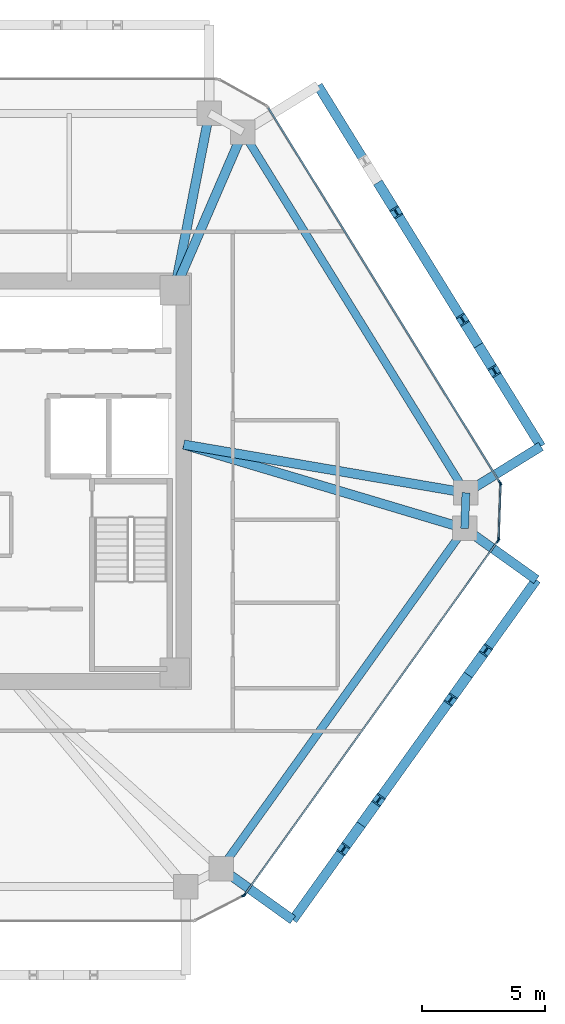
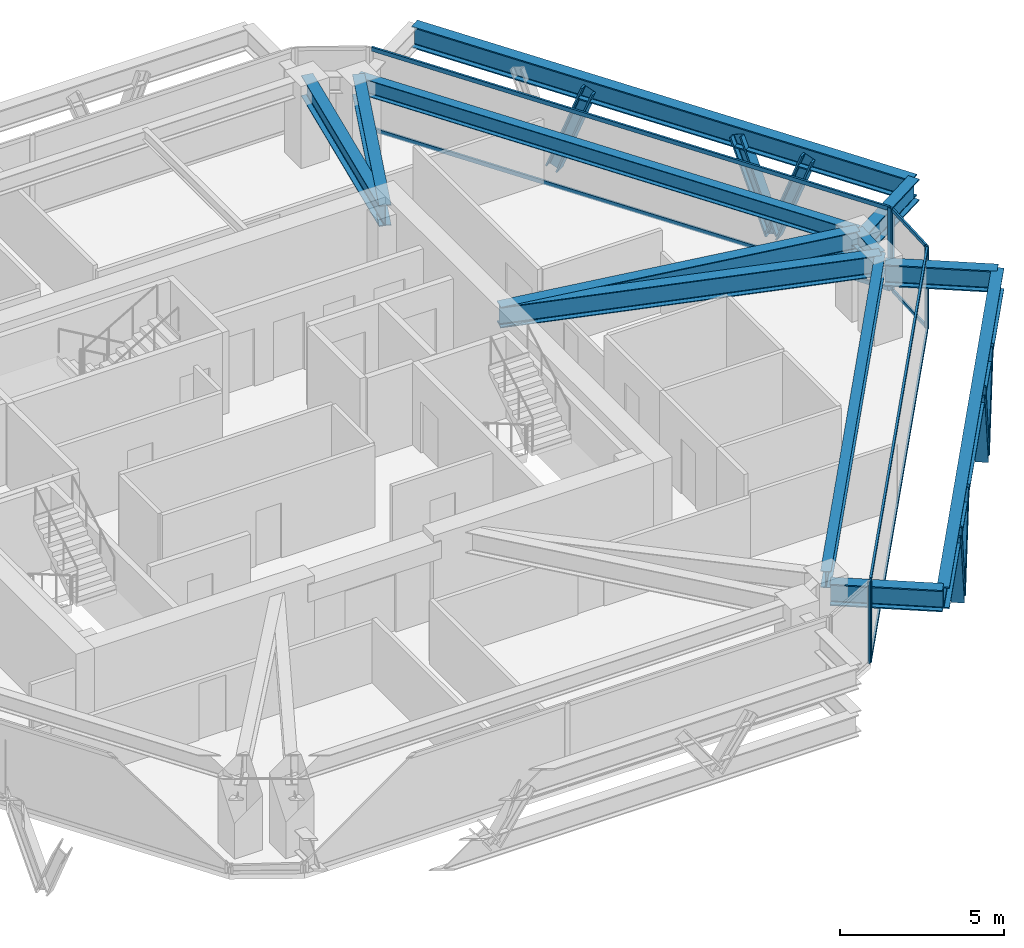
# One storey, part 5 of 11: 19 members, 12 beams, 4 elements without a shape of their own.
"""IFC4 building model written with IfcOpenShell, lengths in metres."""

from ifc_helpers import new_model, si_unit, direction, frame, origin, origin_2d, place, context, subcontext, project, spatial, rectangle, i_section, extrude, source, transform, mapped, material, layer, layer_set, material_profile, profile_set, type_object, type_shapes, element, aggregate, save


model = new_model("IFC4")

# Units and contexts
model_context = context("Model", 3, precision=1e-05, world=origin(), true_north=direction((0.0, 1.0)))
body_context = subcontext(model_context, "Body", "Model", "MODEL_VIEW")
ifc_project = project(units=[si_unit("LENGTHUNIT", "METRE"), si_unit("AREAUNIT", "SQUARE_METRE"), si_unit("VOLUMEUNIT", "CUBIC_METRE"), si_unit("PLANEANGLEUNIT", "RADIAN"), si_unit("MASSUNIT", "GRAM", prefix="KILO")], contexts=[model_context])

# Site, building, storey
site_placement = place(None, origin())
site = spatial("IfcSite", under=ifc_project, at=site_placement, CompositionType="ELEMENT")
building_placement = place(site_placement, origin())
building = spatial("IfcBuilding", under=site, at=building_placement, Name="Durnholm Broadcast Tower", CompositionType="ELEMENT")
storey_placement = place(building_placement, frame((0.0, 0.0, 170.5)))
storey = spatial("IfcBuildingStorey", under=building, at=storey_placement, Name="L46", CompositionType="ELEMENT", Elevation=170.5)

# Beams
ifc_material_1 = material(Name="Steel ASTM A992 Grade 50", Category="steel")
ifc_material_profile_1 = material_profile(ifc_material_1, i_section(OverallWidth=0.385009765625, OverallDepth=0.802978515625, WebThickness=0.023681640625, FlangeThickness=0.0419921875, FilletRadius=0.032958984375, at=origin_2d()), Name="W30X261")
ifc_profile_set_1 = profile_set([ifc_material_profile_1], Name="Steel ASTM A992 Grade 50")
beam_type_1 = type_object("IfcBeamType", Name="BM-EXO-TIE", PredefinedType="USERDEFINED", material=ifc_profile_set_1)
shared_shape_1 = source(origin(), body_context, "Body", "SweptSolid", [
    extrude(i_section(OverallWidth=0.385009765625, OverallDepth=0.802978515625, WebThickness=0.023681640625, FlangeThickness=0.0419921875, FilletRadius=0.032958984375, at=origin_2d()), origin(), (0.0, 0.0, 1.0), 3.4560546875),
])
for number, where, z_axis, x_axis, name in (
    (1, (11.81689453125, -15.884033203125, 2.30859375), (0.813079048773, -0.582153296346, 0.0), (0.582153296346, 0.813079048773, 0.0), "L46 exoskeleton stand-off tie bracket F2.1"),
    (2, (21.7548828125, -2.00341796875, 2.30859375), (0.813079048773, -0.582153296346, 0.0), (0.582153296346, 0.813079048773, 0.0), "L46 exoskeleton stand-off tie bracket F2.2"),
    (3, (21.8095703125, -0.3916015625, 2.30859375), (0.850662348375, 0.525712439512, 0.0), (-0.525712439512, 0.850662348375, 0.0), "L46 exoskeleton stand-off tie bracket F3.1"),
):
    element("IfcBeam", number, at=place(storey_placement, frame(where, z_axis=z_axis, x_axis=x_axis)), inside=storey, type_object=beam_type_1, Name=name, ObjectType="GIRDER", PredefinedType="USERDEFINED", context=body_context, shape_type="MappedRepresentation", body=[
        mapped(shared_shape_1, transform((0.0, 0.0, 0.0), x_axis=(1.0, 0.0, 0.0), y_axis=(0.0, 1.0, 0.0), z_axis=(0.0, 0.0, 1.0), scale=1.0)),
    ])
ifc_material_profile_2 = material_profile(ifc_material_1, i_section(OverallWidth=0.3251953125, OverallDepth=0.6162109375, WebThickness=0.013916015625, FlangeThickness=0.021484375, FilletRadius=0.02783203125, at=origin_2d()), Name="W24X117")
ifc_profile_set_2 = profile_set([ifc_material_profile_2], Name="Steel ASTM A992 Grade 50")
beam_type_2 = type_object("IfcBeamType", Name="STL-SP-W24X117", PredefinedType="SPANDREL", material=ifc_profile_set_2)
shared_shape_2 = source(origin(), body_context, "Body", "SweptSolid", [
    extrude(i_section(OverallWidth=0.3251953125, OverallDepth=0.6162109375, WebThickness=0.013916015625, FlangeThickness=0.021484375, FilletRadius=0.02783203125, at=origin_2d()), origin(), (0.0, 0.0, 1.0), 17.30322265625),
])
beam_1_placement = place(storey_placement, frame((12.5908203125, 14.252197265625, 2.73681640625), z_axis=(0.525691424148, -0.850675335588, 0.0), x_axis=(0.850675335588, 0.525691424148, 0.0)))
element("IfcBeam", 4, at=beam_1_placement, inside=storey, type_object=beam_type_2, Name="L46 perimeter spandrel girder 07", PredefinedType="SPANDREL", context=body_context, shape_type="MappedRepresentation", body=[
    mapped(shared_shape_2, transform((0.0, 0.0, 0.0), x_axis=(1.0, 0.0, 0.0), y_axis=(0.0, 1.0, 0.0), z_axis=(0.0, 0.0, 1.0), scale=1.0)),
])
shared_shape_3 = source(origin(), body_context, "Body", "SweptSolid", [
    extrude(i_section(OverallWidth=0.3251953125, OverallDepth=0.6162109375, WebThickness=0.013916015625, FlangeThickness=0.021484375, FilletRadius=0.02783203125, at=origin_2d()), origin(), (0.0, 0.0, 1.0), 1.453125),
])
beam_2_placement = place(storey_placement, frame((21.68701171875, -0.46728515625, 2.73681640625), z_axis=(-0.033767922326, -0.99942970109, 0.0), x_axis=(0.99942970109, -0.033767922326, 0.0)))
element("IfcBeam", 5, at=beam_2_placement, inside=storey, type_object=beam_type_2, Name="L46 perimeter spandrel girder 08", PredefinedType="SPANDREL", context=body_context, shape_type="MappedRepresentation", body=[
    mapped(shared_shape_3, transform((0.0, 0.0, 0.0), x_axis=(1.0, 0.0, 0.0), y_axis=(0.0, 1.0, 0.0), z_axis=(0.0, 0.0, 1.0), scale=1.0)),
])
shared_shape_4 = source(origin(), body_context, "Body", "SweptSolid", [
    extrude(i_section(OverallWidth=0.3251953125, OverallDepth=0.6162109375, WebThickness=0.013916015625, FlangeThickness=0.021484375, FilletRadius=0.02783203125, at=origin_2d()), origin(), (0.0, 0.0, 1.0), 17.071533203125),
])
type_shapes(beam_type_2, [shared_shape_2, shared_shape_3, shared_shape_4])
beam_3_placement = place(storey_placement, frame((21.637939453125, -1.919677734375, 2.73681640625), z_axis=(-0.582149612352, -0.813081686449, 0.0), x_axis=(0.813081686449, -0.582149612352, 0.0)))
element("IfcBeam", 6, at=beam_3_placement, inside=storey, type_object=beam_type_2, Name="L46 perimeter spandrel girder 09", PredefinedType="SPANDREL", context=body_context, shape_type="MappedRepresentation", body=[
    mapped(shared_shape_4, transform((0.0, 0.0, 0.0), x_axis=(1.0, 0.0, 0.0), y_axis=(0.0, 1.0, 0.0), z_axis=(0.0, 0.0, 1.0), scale=1.0)),
])
ifc_material_profile_3 = material_profile(ifc_material_1, i_section(OverallWidth=0.380615234375, OverallDepth=0.773193359375, WebThickness=0.0166015625, FlangeThickness=0.027099609375, FilletRadius=0.032958984375, at=origin_2d()), Name="W30X173")
ifc_profile_set_3 = profile_set([ifc_material_profile_3], Name="Steel ASTM A992 Grade 50")
beam_type_3 = type_object("IfcBeamType", Name="STL-GR-W30X173", PredefinedType="USERDEFINED", material=ifc_profile_set_3)
shared_shape_5 = source(origin(), body_context, "Body", "SweptSolid", [
    extrude(i_section(OverallWidth=0.380615234375, OverallDepth=0.773193359375, WebThickness=0.0166015625, FlangeThickness=0.027099609375, FilletRadius=0.032958984375, at=origin_2d()), origin(), (0.0, 0.0, 1.0), 7.35595703125),
])
beam_4_placement = place(storey_placement, frame((9.800048828125, 7.800048828125, 2.658447265625), z_axis=(0.192700221893, 0.981257674865, 0.0), x_axis=(-0.981257674865, 0.192700221893, 0.0)))
element("IfcBeam", 7, at=beam_4_placement, inside=storey, type_object=beam_type_3, Name="L46 radial primary floor girder 06", ObjectType="GIRDER", PredefinedType="USERDEFINED", context=body_context, shape_type="MappedRepresentation", body=[
    mapped(shared_shape_5, transform((0.0, 0.0, 0.0), x_axis=(1.0, 0.0, 0.0), y_axis=(0.0, 1.0, 0.0), z_axis=(0.0, 0.0, 1.0), scale=1.0)),
])
shared_shape_6 = source(origin(), body_context, "Body", "SweptSolid", [
    extrude(i_section(OverallWidth=0.380615234375, OverallDepth=0.773193359375, WebThickness=0.0166015625, FlangeThickness=0.027099609375, FilletRadius=0.032958984375, at=origin_2d()), origin(), (0.0, 0.0, 1.0), 7.02978515625),
])
beam_5_placement = place(storey_placement, frame((9.800048828125, 7.800048828125, 2.658447265625), z_axis=(0.396989434191, 0.91782317967, 0.0), x_axis=(-0.91782317967, 0.396989434191, 0.0)))
element("IfcBeam", 8, at=beam_5_placement, inside=storey, type_object=beam_type_3, Name="L46 radial primary floor girder 07", ObjectType="GIRDER", PredefinedType="USERDEFINED", context=body_context, shape_type="MappedRepresentation", body=[
    mapped(shared_shape_6, transform((0.0, 0.0, 0.0), x_axis=(1.0, 0.0, 0.0), y_axis=(0.0, 1.0, 0.0), z_axis=(0.0, 0.0, 1.0), scale=1.0)),
])
shared_shape_7 = source(origin(), body_context, "Body", "SweptSolid", [
    extrude(i_section(OverallWidth=0.385009765625, OverallDepth=0.802978515625, WebThickness=0.023681640625, FlangeThickness=0.0419921875, FilletRadius=0.032958984375, at=origin_2d()), origin(), (0.0, 0.0, 1.0), 17.071533203125),
])
beam_6_placement = place(storey_placement, frame((14.626953125, -17.89599609375, 2.30859375), z_axis=(0.582140157836, 0.813088455603, 0.0), x_axis=(-0.813088455603, 0.582140157836, 0.0)))
element("IfcBeam", 9, at=beam_6_placement, inside=storey, type_object=beam_type_1, Name="L46 exoskeleton collector spandrel F2", PredefinedType="SPANDREL", context=body_context, shape_type="MappedRepresentation", body=[
    mapped(shared_shape_7, transform((0.0, 0.0, 0.0), x_axis=(1.0, 0.0, 0.0), y_axis=(0.0, 1.0, 0.0), z_axis=(0.0, 0.0, 1.0), scale=1.0)),
])
shared_shape_8 = source(origin(), body_context, "Body", "SweptSolid", [
    extrude(i_section(OverallWidth=0.385009765625, OverallDepth=0.802978515625, WebThickness=0.023681640625, FlangeThickness=0.0419921875, FilletRadius=0.032958984375, at=origin_2d()), origin(), (0.0, 0.0, 1.0), 17.303466796875),
])
type_shapes(beam_type_1, [shared_shape_1, shared_shape_7, shared_shape_8])
beam_7_placement = place(storey_placement, frame((24.74951171875, 1.42529296875, 2.30859375), z_axis=(-0.525701634347, 0.850669025911, 0.0), x_axis=(-0.850669025911, -0.525701634347, 0.0)))
element("IfcBeam", 10, at=beam_7_placement, inside=storey, type_object=beam_type_1, Name="L46 exoskeleton collector spandrel F3", PredefinedType="SPANDREL", context=body_context, shape_type="MappedRepresentation", body=[
    mapped(shared_shape_8, transform((0.0, 0.0, 0.0), x_axis=(1.0, 0.0, 0.0), y_axis=(0.0, 1.0, 0.0), z_axis=(0.0, 0.0, 1.0), scale=1.0)),
])
shared_shape_9 = source(origin(), body_context, "Body", "SweptSolid", [
    extrude(i_section(OverallWidth=0.380615234375, OverallDepth=0.773193359375, WebThickness=0.0166015625, FlangeThickness=0.027099609375, FilletRadius=0.032958984375, at=origin_2d()), origin(), (0.0, 0.0, 1.0), 11.678955078125),
])
beam_8_placement = place(storey_placement, frame((10.175048828125, 1.5, 2.658447265625), z_axis=(0.985710446264, -0.168448556317, 0.0), x_axis=(0.168448556317, 0.985710446264, 0.0)))
element("IfcBeam", 11, at=beam_8_placement, inside=storey, type_object=beam_type_3, Name="L46 radial primary floor girder 08", ObjectType="GIRDER", PredefinedType="USERDEFINED", context=body_context, shape_type="MappedRepresentation", body=[
    mapped(shared_shape_9, transform((0.0, 0.0, 0.0), x_axis=(1.0, 0.0, 0.0), y_axis=(0.0, 1.0, 0.0), z_axis=(0.0, 0.0, 1.0), scale=1.0)),
])
shared_shape_10 = source(origin(), body_context, "Body", "SweptSolid", [
    extrude(i_section(OverallWidth=0.380615234375, OverallDepth=0.773193359375, WebThickness=0.0166015625, FlangeThickness=0.027099609375, FilletRadius=0.032958984375, at=origin_2d()), origin(), (0.0, 0.0, 1.0), 11.962158203125),
])
type_shapes(beam_type_3, [shared_shape_5, shared_shape_6, shared_shape_9, shared_shape_10])
beam_9_placement = place(storey_placement, frame((10.175048828125, 1.5, 2.658447265625), z_axis=(0.958266673737, -0.285875815706, 0.0), x_axis=(0.285875815706, 0.958266673737, 0.0)))
element("IfcBeam", 12, at=beam_9_placement, inside=storey, type_object=beam_type_3, Name="L46 radial primary floor girder 09", ObjectType="GIRDER", PredefinedType="USERDEFINED", context=body_context, shape_type="MappedRepresentation", body=[
    mapped(shared_shape_10, transform((0.0, 0.0, 0.0), x_axis=(1.0, 0.0, 0.0), y_axis=(0.0, 1.0, 0.0), z_axis=(0.0, 0.0, 1.0), scale=1.0)),
])

# Members
ifc_material_2 = material(Name="Steel ASTM A913 Grade 65", Category="steel")
ifc_material_profile_4 = material_profile(ifc_material_2, i_section(OverallWidth=0.412109375, OverallDepth=0.434814453125, WebThickness=0.035888671875, FlangeThickness=0.057373046875, FilletRadius=0.030517578125, at=origin_2d()), Name="W14X311")
ifc_profile_set_4 = profile_set([ifc_material_profile_4], Name="Steel ASTM A913 Grade 65")
member_type_1 = type_object("IfcMemberType", Name="STL-DG-W14X311", PredefinedType="BRACE", material=ifc_profile_set_4)
shared_shape_11 = source(origin(), body_context, "Body", "SweptSolid", [
    extrude(i_section(OverallWidth=0.412109375, OverallDepth=0.434814453125, WebThickness=0.035888671875, FlangeThickness=0.057373046875, FilletRadius=0.030517578125, at=origin_2d()), origin(), (0.0, 0.0, 1.0), 3.523193359375),
])
for number, where, z_axis, x_axis, name in (
    (13, (17.40966796875, -14.009521484375, -0.991455078125), (-0.203869234398, -0.284737826017, 0.936675880815), (0.813077820009, -0.582155012526, 0.0), "L46 stand-off diagrid brace F2.D1.1"),
    (14, (17.40966796875, -14.009521484375, -0.991455078125), (0.203869234398, 0.284737826017, 0.936675880815), (-0.813077820009, 0.582155012526, 0.0), "L46 stand-off diagrid brace F2.D1.2"),
    (15, (21.782470703125, -7.90185546875, -0.991455078125), (-0.203869234398, -0.284737826017, 0.936675880815), (0.813077820009, -0.582155012526, 0.0), "L46 stand-off diagrid brace F2.D2.1"),
    (16, (21.782470703125, -7.90185546875, -0.991455078125), (0.203802816986, 0.284741848009, 0.936689111595), (-0.813171482985, 0.58202417412, 0.0), "L46 stand-off diagrid brace F2.D2.2"),
    (17, (22.202392578125, 5.546875, -0.991455078125), (0.18411903749, -0.297902800967, 0.936671821509), (0.850644447398, 0.525741404219, 0.0), "L46 stand-off diagrid brace F3.D1.1"),
):
    element("IfcMember", number, at=place(storey_placement, frame(where, z_axis=z_axis, x_axis=x_axis)), inside=storey, type_object=member_type_1, Name=name, PredefinedType="BRACE", context=body_context, shape_type="MappedRepresentation", body=[
        mapped(shared_shape_11, transform((0.0, 0.0, 0.0), x_axis=(1.0, 0.0, 0.0), y_axis=(0.0, 1.0, 0.0), z_axis=(0.0, 0.0, 1.0), scale=1.0)),
    ])
shared_shape_12 = source(origin(), body_context, "Body", "SweptSolid", [
    extrude(i_section(OverallWidth=0.412109375, OverallDepth=0.434814453125, WebThickness=0.035888671875, FlangeThickness=0.057373046875, FilletRadius=0.030517578125, at=origin_2d()), origin(), (0.0, 0.0, 1.0), 3.52294921875),
])
type_shapes(member_type_1, [shared_shape_11, shared_shape_12])
for number, where, z_axis, x_axis, name in (
    (18, (22.202392578125, 5.546875, -0.991455078125), (-0.184055888727, 0.297843452465, 0.936703105391), (-0.85067825406, -0.525686701439, 0.0), "L46 stand-off diagrid brace F3.D1.2"),
    (19, (18.2001953125, 12.023193359375, -0.991455078125), (0.184055888727, -0.297843452465, 0.936703105391), (0.85067825406, 0.525686701439, 0.0), "L46 stand-off diagrid brace F3.D2.1"),
):
    element("IfcMember", number, at=place(storey_placement, frame(where, z_axis=z_axis, x_axis=x_axis)), inside=storey, type_object=member_type_1, Name=name, PredefinedType="BRACE", context=body_context, shape_type="MappedRepresentation", body=[
        mapped(shared_shape_12, transform((0.0, 0.0, 0.0), x_axis=(1.0, 0.0, 0.0), y_axis=(0.0, 1.0, 0.0), z_axis=(0.0, 0.0, 1.0), scale=1.0)),
    ])

# Curtain wall, members
ifc_material_3 = material(Name="Aluminium and Solar Control IGU", Category="aluminium")
ifc_layer_1 = layer(ifc_material_3, 0.1650390625)
ifc_layer_set_1 = layer_set([ifc_layer_1], Name="Aluminium and Solar Control IGU")
curtain_wall_type_1 = type_object("IfcCurtainWallType", Name="CW-SYS-5", PredefinedType="NOTDEFINED", material=ifc_layer_set_1)
curtain_wall_1_placement = place(storey_placement, origin())
curtain_wall_1 = element("IfcCurtainWall", 20, at=curtain_wall_1_placement, inside=storey, type_object=curtain_wall_type_1, Name="L46 curtain wall CW-CORNER CW-L46-CRN-07", PredefinedType="NOTDEFINED")
ifc_material_4 = material(Name="Aluminium 6063-T6", Category="aluminium")
ifc_material_profile_5 = material_profile(ifc_material_4, rectangle(XDim=0.06494140625, YDim=0.1650390625, at=origin_2d()), Name="CWM65X165")
ifc_profile_set_5 = profile_set([ifc_material_profile_5], Name="Aluminium 6063-T6")
member_type_2 = type_object("IfcMemberType", Name="CW-SYS-5-MUL", PredefinedType="MULLION", material=ifc_profile_set_5)
shared_shape_13 = source(origin(), body_context, "Body", "SweptSolid", [
    extrude(rectangle(XDim=0.06494140625, YDim=0.1650390625, at=origin_2d()), origin(), (0.0, 0.0, 1.0), 3.06005859375),
])
type_shapes(member_type_2, [shared_shape_13])
member_1_placement = place(storey_placement, frame((23.099609375, -0.1240234375, 0.0), z_axis=(0.0, 0.0, 1.0), x_axis=(0.999424798802, -0.033912704699, 0.0)))
member_1 = element("IfcMember", 21, at=member_1_placement, type_object=member_type_2, Name="CW-CORNER mullion 1", PredefinedType="MULLION", context=body_context, shape_type="MappedRepresentation", body=[
    mapped(shared_shape_13, transform((0.0, 0.0, 0.0), x_axis=(1.0, 0.0, 0.0), y_axis=(0.0, 1.0, 0.0), z_axis=(0.0, 0.0, 1.0), scale=1.0)),
])
member_2_placement = place(storey_placement, frame((23.023681640625, -2.35791015625, 0.0), z_axis=(0.0, 0.0, 1.0), x_axis=(0.999424798802, -0.033912704699, 0.0)))
member_2 = element("IfcMember", 22, at=member_2_placement, type_object=member_type_2, Name="CW-CORNER mullion 2", PredefinedType="MULLION", context=body_context, shape_type="MappedRepresentation", body=[
    mapped(shared_shape_13, transform((0.0, 0.0, 0.0), x_axis=(1.0, 0.0, 0.0), y_axis=(0.0, 1.0, 0.0), z_axis=(0.0, 0.0, 1.0), scale=1.0)),
])

# Curtain wall, member
curtain_wall_2_placement = place(storey_placement, origin())
curtain_wall_2 = element("IfcCurtainWall", 23, at=curtain_wall_2_placement, inside=storey, type_object=curtain_wall_type_1, Name="L46 curtain wall CW-CORNER CW-L46-CRN-09", PredefinedType="NOTDEFINED")
member_3_placement = place(storey_placement, frame((12.612060546875, -16.905517578125, 0.0), z_axis=(0.0, 0.0, 1.0), x_axis=(0.457081764476, -0.889424679545, 0.0)))
member_3 = element("IfcMember", 24, at=member_3_placement, type_object=member_type_2, Name="CW-CORNER mullion 1", PredefinedType="MULLION", context=body_context, shape_type="MappedRepresentation", body=[
    mapped(shared_shape_13, transform((0.0, 0.0, 0.0), x_axis=(1.0, 0.0, 0.0), y_axis=(0.0, 1.0, 0.0), z_axis=(0.0, 0.0, 1.0), scale=1.0)),
])
aggregate(curtain_wall_2, [member_3])

# Member
ifc_material_profile_6 = material_profile(ifc_material_4, rectangle(XDim=0.06494140625, YDim=0.1298828125, at=origin_2d()), Name="CWT65X130")
ifc_profile_set_6 = profile_set([ifc_material_profile_6], Name="Aluminium 6063-T6")
member_type_3 = type_object("IfcMemberType", Name="CW-SYS-5-TRN", PredefinedType="USERDEFINED", material=ifc_profile_set_6)
shared_shape_14 = source(origin(), body_context, "Body", "SweptSolid", [
    extrude(rectangle(XDim=0.06494140625, YDim=0.1298828125, at=origin_2d()), origin(), (0.0, 0.0, 1.0), 2.170166015625),
])
type_shapes(member_type_3, [shared_shape_14])
member_4_placement = place(storey_placement, frame((23.098388671875, -0.156494140625, 0.032470703125), z_axis=(-0.033861704743, -0.999426528041, 0.0), x_axis=(0.999426528041, -0.033861704743, 0.0)))
member_4 = element("IfcMember", 25, at=member_4_placement, type_object=member_type_3, Name="CW-CORNER transom 1.1", ObjectType="TRANSOM", PredefinedType="USERDEFINED", context=body_context, shape_type="MappedRepresentation", body=[
    mapped(shared_shape_14, transform((0.0, 0.0, 0.0), x_axis=(1.0, 0.0, 0.0), y_axis=(0.0, 1.0, 0.0), z_axis=(0.0, 0.0, 1.0), scale=1.0)),
])

member_5_placement = place(storey_placement, frame((23.098388671875, -0.156494140625, 3.027587890625), z_axis=(-0.033861704743, -0.999426528041, 0.0), x_axis=(0.999426528041, -0.033861704743, 0.0)))
member_5 = element("IfcMember", 26, at=member_5_placement, type_object=member_type_3, Name="CW-CORNER transom 1.2", ObjectType="TRANSOM", PredefinedType="USERDEFINED", context=body_context, shape_type="MappedRepresentation", body=[
    mapped(shared_shape_14, transform((0.0, 0.0, 0.0), x_axis=(1.0, 0.0, 0.0), y_axis=(0.0, 1.0, 0.0), z_axis=(0.0, 0.0, 1.0), scale=1.0)),
])

aggregate(curtain_wall_1, [member_1, member_2, member_4, member_5])

# Curtain wall, members
ifc_layer_2 = layer(ifc_material_3, 0.18994140625)
ifc_layer_set_2 = layer_set([ifc_layer_2], Name="Aluminium and Solar Control IGU")
curtain_wall_type_2 = type_object("IfcCurtainWallType", Name="CW-SYS-4", PredefinedType="NOTDEFINED", material=ifc_layer_set_2)
curtain_wall_3_placement = place(storey_placement, origin())
curtain_wall_3 = element("IfcCurtainWall", 27, at=curtain_wall_3_placement, inside=storey, type_object=curtain_wall_type_2, Name="L46 curtain wall CW-Z34-VIS CW-L46-F06", PredefinedType="NOTDEFINED")
ifc_material_profile_7 = material_profile(ifc_material_4, rectangle(XDim=0.070068359375, YDim=0.14990234375, at=origin_2d()), Name="CWT70X150")
ifc_profile_set_7 = profile_set([ifc_material_profile_7], Name="Aluminium 6063-T6")
member_type_4 = type_object("IfcMemberType", Name="CW-SYS-4-TRN", PredefinedType="USERDEFINED", material=ifc_profile_set_7)
shared_shape_15 = source(origin(), body_context, "Body", "SweptSolid", [
    extrude(rectangle(XDim=0.070068359375, YDim=0.14990234375, at=origin_2d()), origin(), (0.0, 0.0, 1.0), 17.950927734375),
])
member_6_placement = place(storey_placement, frame((13.627197265625, 15.23828125, 0.034912109375), z_axis=(0.525699895853, -0.850670100274, 0.0), x_axis=(0.850670100274, 0.525699895853, 0.0)))
member_6 = element("IfcMember", 28, at=member_6_placement, type_object=member_type_4, Name="CW-Z34-VIS transom 1.1", ObjectType="TRANSOM", PredefinedType="USERDEFINED", context=body_context, shape_type="MappedRepresentation", body=[
    mapped(shared_shape_15, transform((0.0, 0.0, 0.0), x_axis=(1.0, 0.0, 0.0), y_axis=(0.0, 1.0, 0.0), z_axis=(0.0, 0.0, 1.0), scale=1.0)),
])
member_7_placement = place(storey_placement, frame((13.627197265625, 15.23828125, 3.02490234375), z_axis=(0.525699895853, -0.850670100274, 0.0), x_axis=(0.850670100274, 0.525699895853, 0.0)))
member_7 = element("IfcMember", 29, at=member_7_placement, type_object=member_type_4, Name="CW-Z34-VIS transom 1.2", ObjectType="TRANSOM", PredefinedType="USERDEFINED", context=body_context, shape_type="MappedRepresentation", body=[
    mapped(shared_shape_15, transform((0.0, 0.0, 0.0), x_axis=(1.0, 0.0, 0.0), y_axis=(0.0, 1.0, 0.0), z_axis=(0.0, 0.0, 1.0), scale=1.0)),
])

curtain_wall_4_placement = place(storey_placement, origin())
curtain_wall_4 = element("IfcCurtainWall", 30, at=curtain_wall_4_placement, inside=storey, type_object=curtain_wall_type_2, Name="L46 curtain wall CW-Z34-VIS CW-L46-F08", PredefinedType="NOTDEFINED")
shared_shape_16 = source(origin(), body_context, "Body", "SweptSolid", [
    extrude(rectangle(XDim=0.070068359375, YDim=0.14990234375, at=origin_2d()), origin(), (0.0, 0.0, 1.0), 17.693603515625),
])
type_shapes(member_type_4, [shared_shape_15, shared_shape_16])
member_8_placement = place(storey_placement, frame((22.98193359375, -2.447265625, 0.034912109375), z_axis=(-0.582144969277, -0.813085010774, 0.0), x_axis=(0.813085010774, -0.582144969277, 0.0)))
member_8 = element("IfcMember", 31, at=member_8_placement, type_object=member_type_4, Name="CW-Z34-VIS transom 1.1", ObjectType="TRANSOM", PredefinedType="USERDEFINED", context=body_context, shape_type="MappedRepresentation", body=[
    mapped(shared_shape_16, transform((0.0, 0.0, 0.0), x_axis=(1.0, 0.0, 0.0), y_axis=(0.0, 1.0, 0.0), z_axis=(0.0, 0.0, 1.0), scale=1.0)),
])
member_9_placement = place(storey_placement, frame((22.98193359375, -2.447265625, 3.02490234375), z_axis=(-0.582144969277, -0.813085010774, 0.0), x_axis=(0.813085010774, -0.582144969277, 0.0)))
member_9 = element("IfcMember", 32, at=member_9_placement, type_object=member_type_4, Name="CW-Z34-VIS transom 1.2", ObjectType="TRANSOM", PredefinedType="USERDEFINED", context=body_context, shape_type="MappedRepresentation", body=[
    mapped(shared_shape_16, transform((0.0, 0.0, 0.0), x_axis=(1.0, 0.0, 0.0), y_axis=(0.0, 1.0, 0.0), z_axis=(0.0, 0.0, 1.0), scale=1.0)),
])

# Member
ifc_material_profile_8 = material_profile(ifc_material_4, rectangle(XDim=0.070068359375, YDim=0.18994140625, at=origin_2d()), Name="CWM70X190")
ifc_profile_set_8 = profile_set([ifc_material_profile_8], Name="Aluminium 6063-T6")
member_type_5 = type_object("IfcMemberType", Name="CW-SYS-4-MUL", PredefinedType="MULLION", material=ifc_profile_set_8)
shared_shape_17 = source(origin(), body_context, "Body", "SweptSolid", [
    extrude(rectangle(XDim=0.070068359375, YDim=0.18994140625, at=origin_2d()), origin(), (0.0, 0.0, 1.0), 3.06005859375),
])
type_shapes(member_type_5, [shared_shape_17])
member_10_placement = place(storey_placement, frame((23.082275390625, -0.061767578125, 0.0), z_axis=(0.0, 0.0, 1.0), x_axis=(0.850671426092, 0.525697750452, 0.0)))
member_10 = element("IfcMember", 33, at=member_10_placement, type_object=member_type_5, Name="CW-Z34-VIS mullion 2", PredefinedType="MULLION", context=body_context, shape_type="MappedRepresentation", body=[
    mapped(shared_shape_17, transform((0.0, 0.0, 0.0), x_axis=(1.0, 0.0, 0.0), y_axis=(0.0, 1.0, 0.0), z_axis=(0.0, 0.0, 1.0), scale=1.0)),
])

aggregate(curtain_wall_3, [member_10, member_6, member_7])

member_11_placement = place(storey_placement, frame((23.00244140625, -2.418701171875, 0.0), z_axis=(0.0, 0.0, 1.0), x_axis=(0.813089262696, -0.582139030549, 0.0)))
member_11 = element("IfcMember", 34, at=member_11_placement, type_object=member_type_5, Name="CW-Z34-VIS mullion 1", PredefinedType="MULLION", context=body_context, shape_type="MappedRepresentation", body=[
    mapped(shared_shape_17, transform((0.0, 0.0, 0.0), x_axis=(1.0, 0.0, 0.0), y_axis=(0.0, 1.0, 0.0), z_axis=(0.0, 0.0, 1.0), scale=1.0)),
])

member_12_placement = place(storey_placement, frame((12.661376953125, -16.8623046875, 0.0), z_axis=(0.0, 0.0, 1.0), x_axis=(0.813089262696, -0.582139030549, 0.0)))
member_12 = element("IfcMember", 35, at=member_12_placement, type_object=member_type_5, Name="CW-Z34-VIS mullion 2", PredefinedType="MULLION", context=body_context, shape_type="MappedRepresentation", body=[
    mapped(shared_shape_17, transform((0.0, 0.0, 0.0), x_axis=(1.0, 0.0, 0.0), y_axis=(0.0, 1.0, 0.0), z_axis=(0.0, 0.0, 1.0), scale=1.0)),
])

aggregate(curtain_wall_4, [member_11, member_12, member_8, member_9])

save(model, "model.ifc")
